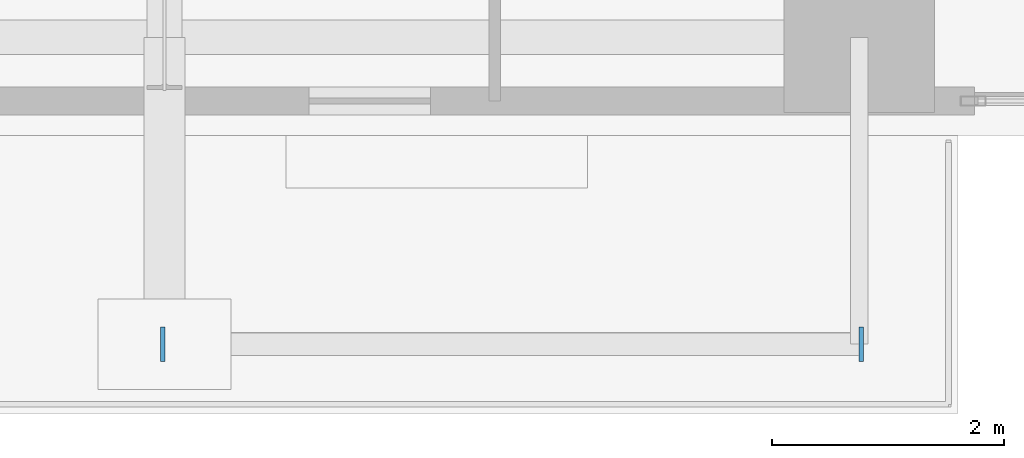
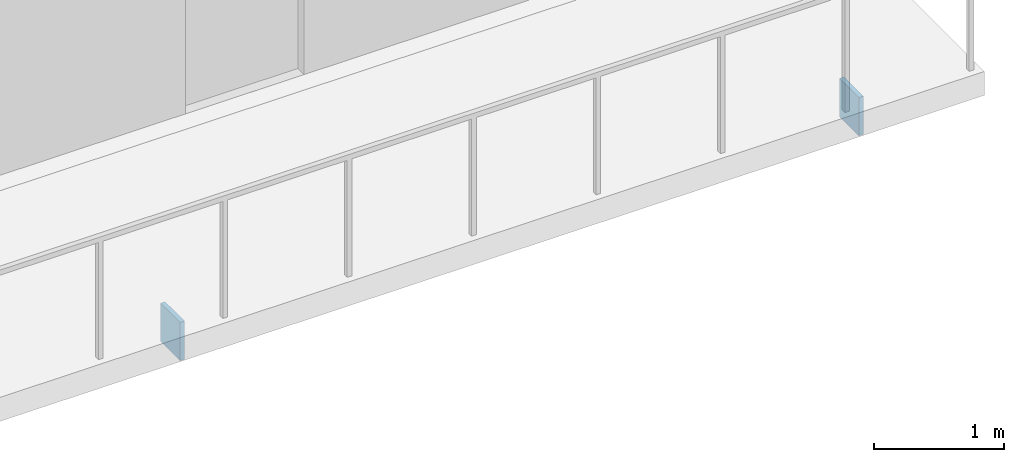
# One storey, part 19 of 27: 2 plates.
"""IFC4 building model written with IfcOpenShell, lengths in metres."""

from ifc_helpers import new_model, si_unit, direction, frame, origin, origin_2d, place, context, subcontext, project, spatial, rectangle, extrude, material, layer, layer_set, type_object, element, save


model = new_model("IFC4")

# Units and contexts
model_context = context("Model", 3, precision=1e-05, world=origin(), true_north=direction((0.0, 1.0)))
body_context = subcontext(model_context, "Body", "Model", "MODEL_VIEW")
ifc_project = project(units=[si_unit("LENGTHUNIT", "METRE"), si_unit("AREAUNIT", "SQUARE_METRE"), si_unit("VOLUMEUNIT", "CUBIC_METRE"), si_unit("PLANEANGLEUNIT", "RADIAN"), si_unit("MASSUNIT", "GRAM", prefix="KILO"), si_unit("THERMODYNAMICTEMPERATUREUNIT", "KELVIN"), si_unit("POWERUNIT", "WATT")], contexts=[model_context])

# Site, building, storey
site_placement = place(None, origin())
site = spatial("IfcSite", under=ifc_project, at=site_placement, CompositionType="ELEMENT")
building_placement = place(site_placement, origin())
building = spatial("IfcBuilding", under=site, at=building_placement, Name="Svarakhadi Broadcast Tower", CompositionType="ELEMENT")
storey_placement = place(building_placement, frame((0.0, 0.0, 40.199951171875)))
storey = spatial("IfcBuildingStorey", under=building, at=storey_placement, Name="L08", CompositionType="ELEMENT", Elevation=40.199951171875)

# Plates
ifc_material = material(Name="Steel S460ML (IS 2062 E450BR)", Category="steel")
ifc_layer = layer(ifc_material, 0.028076171875)
ifc_layer_set = layer_set([ifc_layer], Name="Steel S460ML (IS 2062 E450BR)")
plate_type = type_object("IfcPlateType", Name="Cap_Plate_CP02", PredefinedType="USERDEFINED", material=ifc_layer_set)
for number, where, z_axis, x_axis, name in (
    (1, (41.135009765625, -1.800048828125, -0.580078125), (0.0, 0.0, 1.0), (1.0, 0.0, 0.0), "L08 Balcony Spandrel End Cap Plate 1F-A"),
    (2, (47.1650390625, -1.800048828125, -0.580078125), (0.0, 0.0, 1.0), (1.0, 0.0, 0.0), "L08 Balcony Spandrel End Cap Plate 1F-B"),
):
    element("IfcPlate", number, at=place(storey_placement, frame(where, z_axis=z_axis, x_axis=x_axis)), inside=storey, type_object=plate_type, Name=name, ObjectType="FLANGE_PLATE", PredefinedType="USERDEFINED", context=body_context, shape_type="SweptSolid", body=[
        extrude(rectangle(XDim=0.0400390625, YDim=0.300048828125, at=origin_2d()), origin(), (0.0, 0.0, 1.0), 0.360107421875),
    ])

save(model, "model.ifc")
